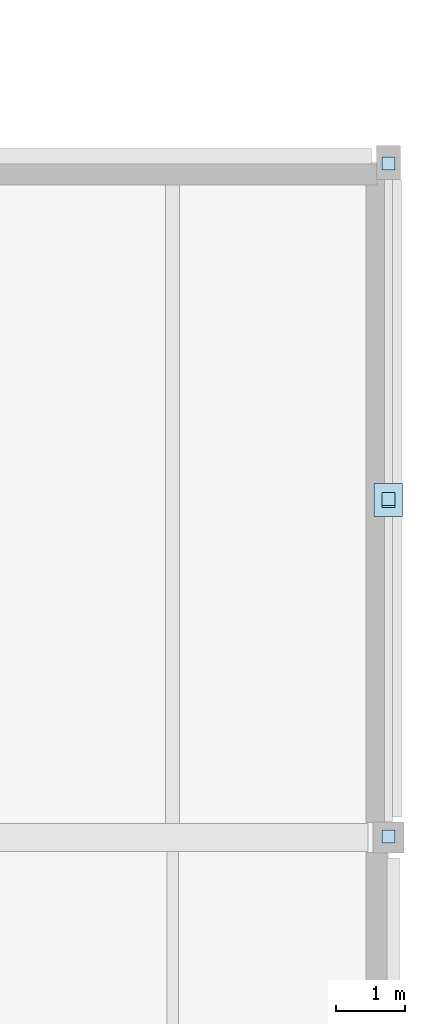
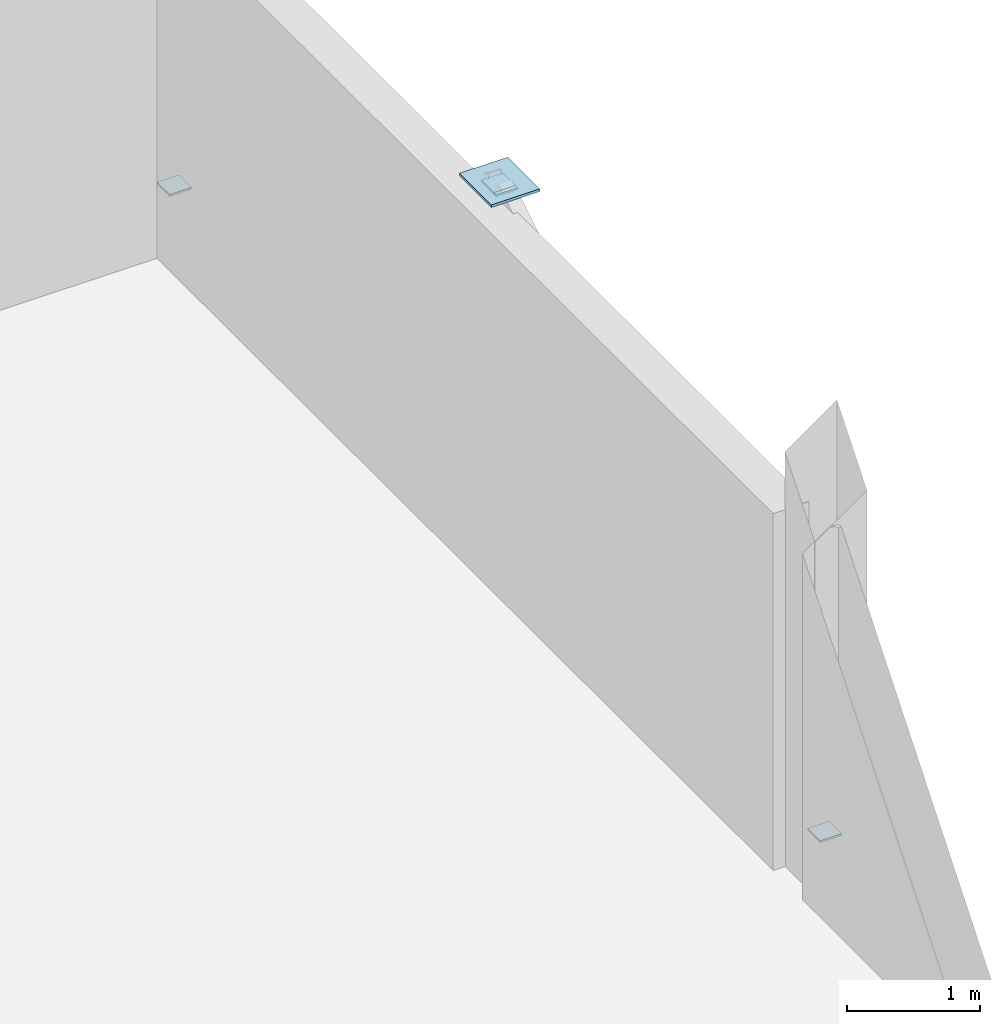
# One storey, part 18 of 35: 5 plates.
"""IFC4 building model written with IfcOpenShell, lengths in metres."""

import ifcopenshell
import ifcopenshell.guid

model = None  # the IFC model being written
_history = None  # IfcOwnerHistory: only IFC2X3 demands one
_inside = {}  # id of a spatial element -> (the spatial element, [elements in it])
_under = {}  # id of a project, library or spatial element -> (it, [spatial elements below it])
_declared = {}  # id of a project -> (the project, [libraries it declares])
_typed = {}  # id of a type object -> (the type object, [elements of that type])
_made_of = {}  # id of a material, layer set ... -> (it, [elements and type objects made of it])


def new_model(schema):
    """Start an empty IFC model of exactly this schema.

    Asked for "IFC4X3", IfcOpenShell would pick the latest addendum, in which some entities
    have other attributes; the version numbers below select the first issue.
    IFC2X3 requires an IfcOwnerHistory on every rooted entity: one is made here for all.
    """
    global model, _history
    if schema == "IFC4X3":
        model = ifcopenshell.file(schema_version=(4, 3, 0, 0))
    else:
        model = ifcopenshell.file(schema=schema)
    _inside.clear()
    _under.clear()
    _declared.clear()
    _typed.clear()
    _made_of.clear()
    _history = None
    if model.schema == "IFC2X3":
        org = make("IfcOrganization", Name="unknown")
        user = make(
            "IfcPersonAndOrganization",
            ThePerson=make("IfcPerson", FamilyName="unknown"),
            TheOrganization=org,
        )
        app = make(
            "IfcApplication",
            ApplicationDeveloper=org,
            Version="unknown",
            ApplicationFullName="unknown",
            ApplicationIdentifier="unknown",
        )
        _history = make(
            "IfcOwnerHistory",
            OwningUser=user,
            OwningApplication=app,
            ChangeAction="ADDED",
            CreationDate=0,
        )
    return model


def make(cls, **values):
    """One entity of the class cls with the attributes given. An attribute that is None is left unset."""
    return model.create_entity(
        cls, **{name: value for name, value in values.items() if value is not None}
    )


def rooted(cls, **values):
    """An entity with a GlobalId (a new one), such as an element, a storey or a relation."""
    return make(cls, GlobalId=ifcopenshell.guid.new(), OwnerHistory=_history, **values)


def si_unit(unit_type, name, prefix=None):
    """IfcSIUnit, for example si_unit("LENGTHUNIT", "METRE", prefix="MILLI")."""
    return make("IfcSIUnit", UnitType=unit_type, Prefix=prefix, Name=name)


def assignment(units):
    """IfcUnitAssignment: the units of a project."""
    return None if units is None else make("IfcUnitAssignment", Units=units)


def point(xyz):
    """IfcCartesianPoint."""
    return None if xyz is None else make("IfcCartesianPoint", Coordinates=xyz)


def direction(xyz):
    """IfcDirection."""
    return None if xyz is None else make("IfcDirection", DirectionRatios=xyz)


def frame(location, z_axis=None, x_axis=None):
    """IfcAxis2Placement3D, a coordinate frame: its origin and axes. An axis left out is left unset."""
    return make(
        "IfcAxis2Placement3D",
        Location=point(location),
        Axis=direction(z_axis),
        RefDirection=direction(x_axis),
    )


def frame_2d(location, x_axis=None):
    """IfcAxis2Placement2D, a coordinate frame in the plane: its origin and x axis."""
    return make(
        "IfcAxis2Placement2D", Location=point(location), RefDirection=direction(x_axis)
    )


def origin():
    """The frame at (0, 0, 0) with its axes left unset."""
    return frame((0.0, 0.0, 0.0))


def origin_2d():
    """The frame at (0, 0) in the plane with its x axis left unset."""
    return frame_2d((0.0, 0.0))


def place(relative_to, where):
    """IfcLocalPlacement: puts the frame where relative to a parent placement (None: the world)."""
    return make(
        "IfcLocalPlacement", PlacementRelTo=relative_to, RelativePlacement=where
    )


def context(
    kind, dimensions, precision=None, world=None, true_north=None, identifier=None
):
    """IfcGeometricRepresentationContext, for example the 3D "Model" context."""
    return make(
        "IfcGeometricRepresentationContext",
        ContextIdentifier=identifier,
        ContextType=kind,
        CoordinateSpaceDimension=dimensions,
        Precision=precision,
        WorldCoordinateSystem=world,
        TrueNorth=true_north,
    )


def subcontext(parent, identifier, kind, view, scale=None):
    """IfcGeometricRepresentationSubContext, for example "Body" below "Model"."""
    return make(
        "IfcGeometricRepresentationSubContext",
        ContextIdentifier=identifier,
        ContextType=kind,
        ParentContext=parent,
        TargetScale=scale,
        TargetView=view,
    )


def project(units=None, contexts=None):
    """IfcProject with its units and contexts."""
    return rooted(
        "IfcProject",
        Name="project",
        RepresentationContexts=contexts,
        UnitsInContext=assignment(units),
    )


def spatial(cls, under=None, at=None, **own):
    """A site, building, storey or space (cls), placed at a placement, below another one or the project."""
    s = rooted(cls, ObjectPlacement=at, **own)
    if under is not None:
        _under.setdefault(under.id(), (under, []))[1].append(s)
    return s


def profile(cls, at=None, kind="AREA", **sizes):
    """A parametric profile (cls). Its sizes go by their IFC names, for example OverallWidth=200.0."""
    return make(cls, ProfileType=kind, Position=at, **sizes)


def rectangle(**sizes):
    """IfcRectangleProfileDef."""
    return profile("IfcRectangleProfileDef", **sizes)


def extrude(swept, where, along, depth):
    """IfcExtrudedAreaSolid: the profile swept, set in the frame where, extruded along a direction by depth."""
    return make(
        "IfcExtrudedAreaSolid",
        SweptArea=swept,
        Position=where,
        ExtrudedDirection=direction(along),
        Depth=depth,
    )


def shape(context_of_items, identifier, shape_type, items):
    """IfcShapeRepresentation: the items that make up one representation, for example the "Body"."""
    return make(
        "IfcShapeRepresentation",
        ContextOfItems=context_of_items,
        RepresentationIdentifier=identifier,
        RepresentationType=shape_type,
        Items=items,
    )


def material(Name=None, Category=None):
    """IfcMaterial."""
    return make("IfcMaterial", Name=Name, Category=Category)


def layer(
    of_material, thickness, ventilated=None, Name=None, Category=None, Priority=None
):
    """IfcMaterialLayer: one layer of a wall or slab, of a material (None: an air gap)."""
    return make(
        "IfcMaterialLayer",
        Material=of_material,
        LayerThickness=thickness,
        IsVentilated=ventilated,
        Name=Name,
        Category=Category,
        Priority=Priority,
    )


def layer_set(layers, Name=None):
    """IfcMaterialLayerSet."""
    return make("IfcMaterialLayerSet", MaterialLayers=layers, LayerSetName=Name)


def made_of(thing, what):
    """Note that an element or type object is made of a material, layer set ...; save() writes the relation."""
    if what is not None:
        _made_of.setdefault(what.id(), (what, []))[1].append(thing)
    return thing


def type_object(cls, material=None, **own):
    """A type object (cls), such as IfcWallType, which elements share."""
    return made_of(rooted(cls, **own), material)


def element(
    cls,
    number,
    at=None,
    inside=None,
    cuts=None,
    type_object=None,
    material=None,
    context=None,
    identifier="Body",
    shape_type=None,
    held_by="IfcProductDefinitionShape",
    body=None,
    shapes=None,
    **own,
):
    """One element of the class cls, such as IfcWall. Its Tag is "e" and its number.

    at: its placement. inside: the storey or other place that contains it. cuts: it is an
    opening in that element (IfcRelVoidsElement). A single representation is given by context,
    identifier, shape_type and body (its items); several are given by shapes. held_by: the class
    of the entity that holds the representations. save() writes the other relations.
    """
    e = rooted(cls, Tag="e%d" % number, ObjectPlacement=at, **own)
    if body is not None:
        shapes = [shape(context, identifier, shape_type, body)]
    if shapes is not None:
        e.Representation = make(held_by, Representations=shapes)
    if inside is not None:
        _inside.setdefault(inside.id(), (inside, []))[1].append(e)
    if cuts is not None:
        rooted(
            "IfcRelVoidsElement", RelatingBuildingElement=cuts, RelatedOpeningElement=e
        )
    if type_object is not None:
        _typed.setdefault(type_object.id(), (type_object, []))[1].append(e)
    return made_of(e, material)


def aggregate(whole, parts):
    """IfcRelAggregates: a whole, such as a stair, and the parts it consists of."""
    return rooted("IfcRelAggregates", RelatingObject=whole, RelatedObjects=parts)


def save(model, path):
    """Write the relations noted so far, then the file.

    IfcRelAggregates (storeys below a building ...), IfcRelContainedInSpatialStructure (elements
    in a storey), IfcRelDefinesByType, IfcRelAssociatesMaterial and IfcRelDeclares: one each for
    every whole, place, type object, material and project.
    """
    for whole, parts in _under.values():
        aggregate(whole, parts)
    for where, things in _inside.values():
        rooted(
            "IfcRelContainedInSpatialStructure",
            RelatedElements=things,
            RelatingStructure=where,
        )
    for kind, things in _typed.values():
        rooted("IfcRelDefinesByType", RelatedObjects=things, RelatingType=kind)
    for what, things in _made_of.values():
        rooted("IfcRelAssociatesMaterial", RelatedObjects=things, RelatingMaterial=what)
    for by, libraries in _declared.values():
        rooted("IfcRelDeclares", RelatingContext=by, RelatedDefinitions=libraries)
    model.write(path)


model = new_model("IFC4")

# Units and contexts
model_context = context("Model", 3, precision=1e-05, world=origin(), true_north=direction((0.0, 1.0)))
body_context = subcontext(model_context, "Body", "Model", "MODEL_VIEW")
ifc_project = project(units=[si_unit("LENGTHUNIT", "METRE"), si_unit("AREAUNIT", "SQUARE_METRE"), si_unit("VOLUMEUNIT", "CUBIC_METRE"), si_unit("PLANEANGLEUNIT", "RADIAN"), si_unit("MASSUNIT", "GRAM", prefix="KILO")], contexts=[model_context])

# Site, building, storey
site_placement = place(None, origin())
site = spatial("IfcSite", under=ifc_project, at=site_placement, CompositionType="ELEMENT")
building_placement = place(site_placement, origin())
building = spatial("IfcBuilding", under=site, at=building_placement, Name="Birchvale Park Specialist Clinic", CompositionType="ELEMENT")
storey_placement = place(building_placement, frame((0.0, 0.0, 13.800048828125)))
storey = spatial("IfcBuildingStorey", under=building, at=storey_placement, Name="L03", CompositionType="ELEMENT", Elevation=13.800048828125)

# Plates
ifc_material = material(Name="Steel ASTM A572 Grade 50", Category="steel")
ifc_layer_1 = layer(ifc_material, 0.01806640625)
ifc_layer_set_1 = layer_set([ifc_layer_1], Name="Steel ASTM A572 Grade 50")
plate_type_1 = type_object("IfcPlateType", Name="PLT-EC4", PredefinedType="USERDEFINED", material=ifc_layer_set_1)
for number, where, z_axis, x_axis, name in (
    (1, (155.800048828125, 34.6171875, 0.351318359375), (0.0, 0.0, 1.0), (1.0, 0.0, 0.0), "V5 L03 brace sealed cap plate 12.1.1"),
    (2, (155.800048828125, 39.48291015625, 3.320556640625), (0.0, 0.0, 1.0), (1.0, 0.0, 0.0), "V5 L03 brace sealed cap plate 12.1.2"),
    (3, (155.800048828125, 44.3828125, 0.351318359375), (0.0, 0.0, 1.0), (1.0, 0.0, 0.0), "V5 L03 brace sealed cap plate 12.2.1"),
    (4, (155.800048828125, 39.51708984375, 3.320556640625), (0.0, 0.0, 1.0), (1.0, 0.0, 0.0), "V5 L03 brace sealed cap plate 12.2.2"),
):
    element("IfcPlate", number, at=place(storey_placement, frame(where, z_axis=z_axis, x_axis=x_axis)), inside=storey, type_object=plate_type_1, Name=name, ObjectType="BASE_PLATE", PredefinedType="USERDEFINED", context=body_context, shape_type="SweptSolid", body=[
        extrude(rectangle(XDim=0.18994140625, YDim=0.18994140625, at=origin_2d()), origin(), (0.0, 0.0, 1.0), 0.01806640625),
    ])
ifc_layer_2 = layer(ifc_material, 0.02197265625)
ifc_layer_set_2 = layer_set([ifc_layer_2], Name="Steel ASTM A572 Grade 50")
plate_type_2 = type_object("IfcPlateType", Name="PLT-KN3", PredefinedType="USERDEFINED", material=ifc_layer_set_2)
plate_placement = place(storey_placement, frame((155.800048828125, 39.5, 3.340087890625), z_axis=(0.0, 0.0, 1.0), x_axis=(1.0, 0.0, 0.0)))
element("IfcPlate", 5, at=plate_placement, inside=storey, type_object=plate_type_2, Name="V5 L03 braced-frame apex gusset plate KN1-12", ObjectType="GUSSET_PLATE", PredefinedType="USERDEFINED", context=body_context, shape_type="SweptSolid", body=[
    extrude(rectangle(XDim=0.419921875, YDim=0.47998046875, at=origin_2d()), origin(), (0.0, 0.0, 1.0), 0.02392578125),
])

save(model, "model.ifc")
